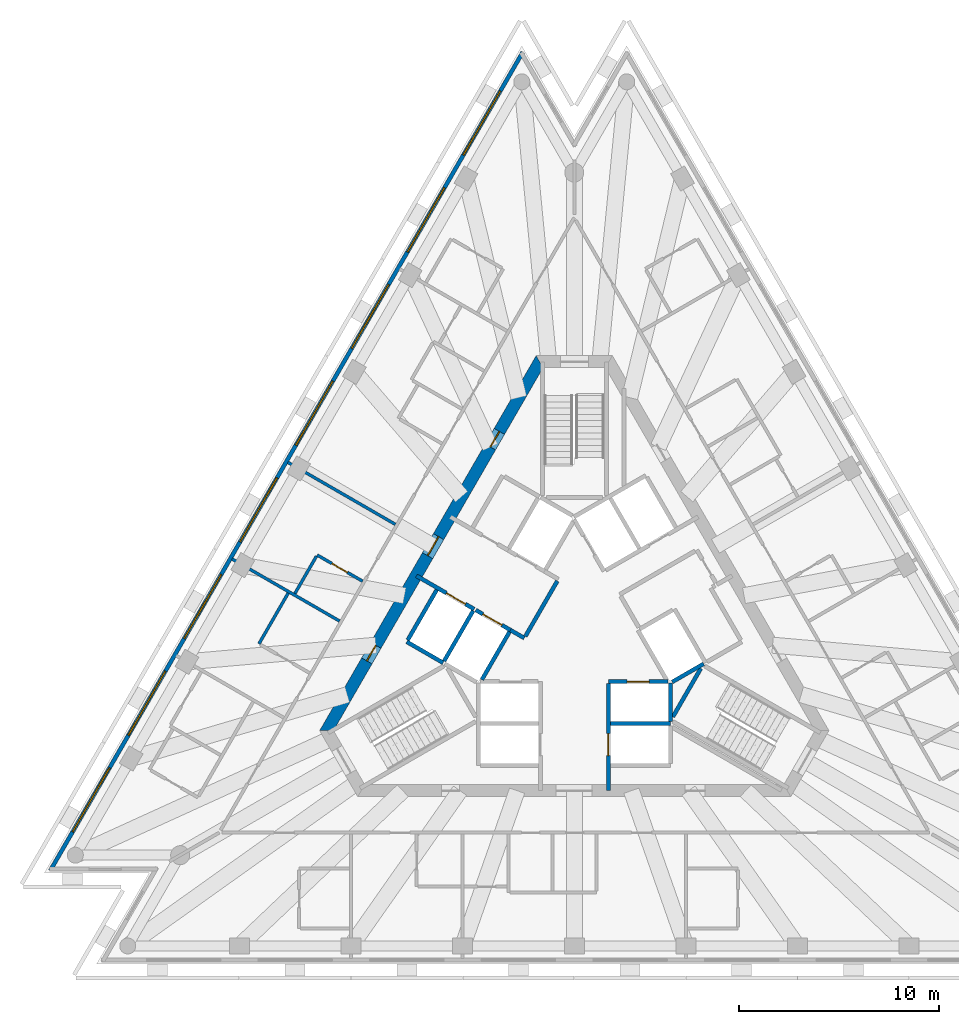
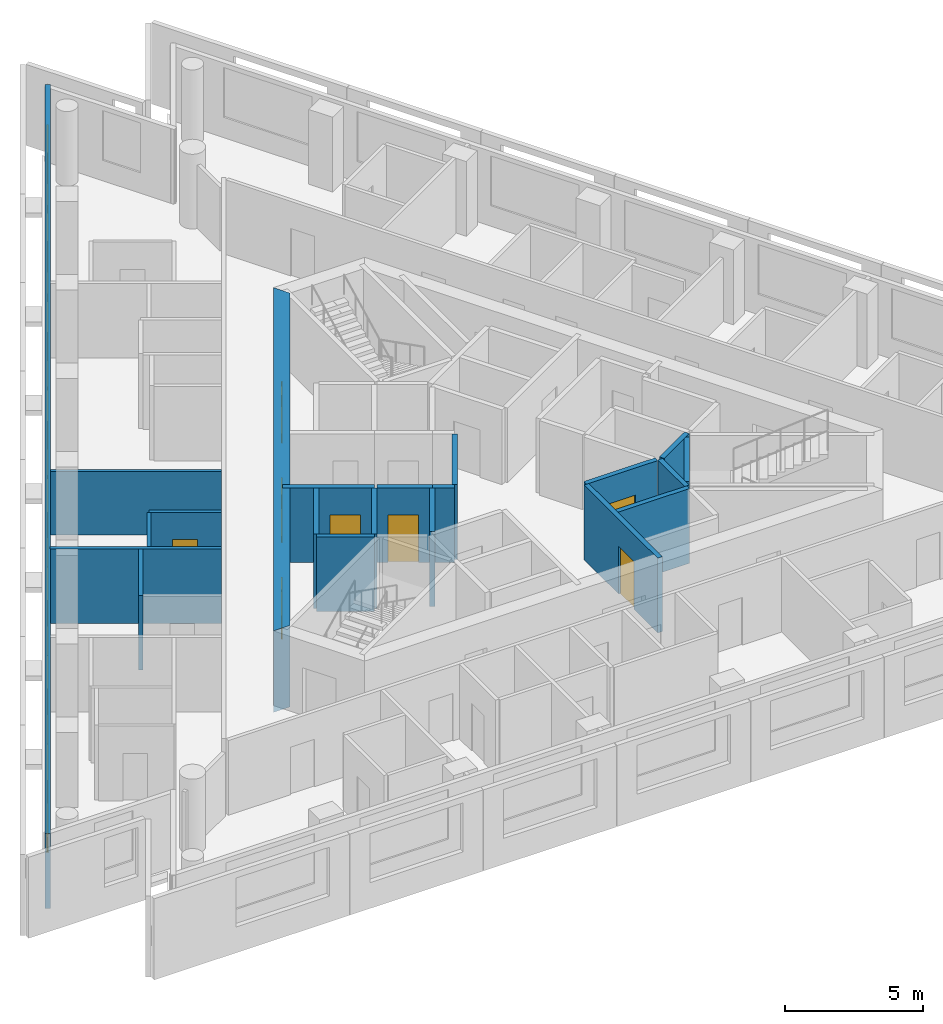
# One storey, part 4 of 10: 21 walls, 8 doors, 8 windows, 16 openings.
"""IFC4 building model written with IfcOpenShell, lengths in metres."""

from ifc_helpers import new_model, si_unit, direction, frame, frame_2d, origin, place, context, subcontext, project, spatial, polyline, rectangle, outline, extrude, material, layer, layer_set, layer_usage, type_object, element, fill, save


model = new_model("IFC4")

# Units and contexts
model_context = context("Model", 3, precision=1e-05, world=origin(), true_north=direction((0.0, 1.0)))
body_context = subcontext(model_context, "Body", "Model", "MODEL_VIEW")
ifc_project = project(units=[si_unit("LENGTHUNIT", "METRE"), si_unit("AREAUNIT", "SQUARE_METRE"), si_unit("VOLUMEUNIT", "CUBIC_METRE"), si_unit("PLANEANGLEUNIT", "RADIAN"), si_unit("MASSUNIT", "GRAM", prefix="KILO")], contexts=[model_context])

# Site, building, storey
site_placement = place(None, origin())
site = spatial("IfcSite", under=ifc_project, at=site_placement, CompositionType="ELEMENT")
building_placement = place(site_placement, origin())
building = spatial("IfcBuilding", under=site, at=building_placement, Name="Triada Interchange Tower", CompositionType="ELEMENT")
storey_placement = place(building_placement, frame((0.0, 0.0, 275.5)))
storey = spatial("IfcBuildingStorey", under=building, at=storey_placement, Name="L64", CompositionType="ELEMENT", Elevation=275.5)

# Walls
ifc_material_1 = material(Name="Concrete C30/37", Category="concrete")
ifc_layer_1 = layer(ifc_material_1, 0.199951171875)
ifc_layer_set_1 = layer_set([ifc_layer_1], Name="CORE WALL 200 EI 120")
wall_type_1 = type_object("IfcWallType", Name="CORE WALL 200 EI 120", PredefinedType="SOLIDWALL", material=ifc_layer_set_1)
wall_1_placement = place(storey_placement, frame((-8.3759765625, -0.70703125, 0.0), z_axis=(0.0, 0.0, 1.0), x_axis=(0.866067520717, -0.499927044236, 0.0)))
element("IfcWall", 1, at=wall_1_placement, inside=storey, type_object=wall_type_1, Name="Wall L62 66", PredefinedType="SOLIDWALL", context=body_context, shape_type="SweptSolid", body=[
    extrude(rectangle(XDim=2.100341796875, YDim=0.199951171875, at=frame_2d((1.05029296875, 0.0))), origin(), (0.0, 0.0, 1.0), 3.300048828125),
])
wall_2_placement = place(storey_placement, frame((-8.325927734375, -0.6201171875, 0.0), z_axis=(0.0, 0.0, 1.0), x_axis=(0.500023687443, 0.866011727401, 0.0)))
element("IfcWall", 2, at=wall_2_placement, inside=storey, type_object=wall_type_1, Name="Wall L62 67", PredefinedType="SOLIDWALL", context=body_context, shape_type="SweptSolid", body=[
    extrude(rectangle(XDim=2.899658203125, YDim=0.199951171875, at=frame_2d((1.44970703125, 0.0))), origin(), (0.0, 0.0, 1.0), 3.300048828125),
])
wall_3_placement = place(storey_placement, frame((1.800048828125, -4.800048828125, 0.0), z_axis=(0.0, 0.0, 1.0), x_axis=(1.0, 0.0, 0.0)))
element("IfcWall", 3, at=wall_3_placement, inside=storey, type_object=wall_type_1, Name="Wall L62 72", PredefinedType="SOLIDWALL", context=body_context, shape_type="SweptSolid", body=[
    extrude(rectangle(XDim=3.0, YDim=0.199951171875, at=frame_2d((1.5, 0.0))), origin(), (0.0, 0.0, 1.0), 3.300048828125),
])

# Wall, opening, door
wall_4_placement = place(storey_placement, frame((1.702880859375, -2.699951171875, 0.0), z_axis=(0.0, 0.0, 1.0), x_axis=(1.0, 0.0, 0.0)))
wall_4 = element("IfcWall", 4, at=wall_4_placement, inside=storey, type_object=wall_type_1, Name="Wall L62 75", PredefinedType="SOLIDWALL", context=body_context, shape_type="SweptSolid", body=[
    extrude(rectangle(XDim=2.97314453125, YDim=0.199951171875, at=frame_2d((1.486572265625, 0.0))), origin(), (0.0, 0.0, 1.0), 3.300048828125),
])
opening_1_placement = place(wall_4_placement, frame((0.93603515625, 0.0, 0.0)))
opening_1 = element("IfcOpeningElement", 5, at=opening_1_placement, cuts=wall_4, Name="Opening LD-HR1", PredefinedType="OPENING", context=body_context, shape_type="SweptSolid", body=[
    extrude(rectangle(XDim=1.10009765625, YDim=2.10009765625, at=frame_2d((0.550048828125, 1.050048828125))), frame((0.0, 0.10986328125, 0.0), z_axis=(0.0, -1.0, 0.0), x_axis=(1.0, 0.0, 0.0)), (0.0, 0.0, 1.0), 0.219970703125),
])
ifc_material_2 = material(Name="Steel S235 door leaf", Category="steel")
door_type_1 = type_object("IfcDoorType", Name="LIFT LANDING DOOR 1100 EI 120", OperationType="SLIDING_TO_LEFT", PredefinedType="DOOR", material=ifc_material_2)
door_1_placement = place(opening_1_placement, origin())
door_1 = element("IfcDoor", 6, at=door_1_placement, inside=storey, type_object=door_type_1, Name="HR1 landing door L64", OperationType="SLIDING_TO_LEFT", OverallHeight=2.10009765625, OverallWidth=1.10009765625, PredefinedType="DOOR", context=body_context, shape_type="SweptSolid", body=[
    extrude(rectangle(XDim=1.10009765625, YDim=2.10009765625, at=frame_2d((0.550048828125, 1.050048828125))), frame((0.0, 0.02490234375, 0.0), z_axis=(0.0, -1.0, 0.0), x_axis=(1.0, 0.0, 0.0)), (0.0, 0.0, 1.0), 0.050048828125),
])
fill(opening_1, door_1)

wall_5_placement = place(storey_placement, frame((1.699951171875, -8.1298828125, 0.0), z_axis=(0.0, 0.0, 1.0), x_axis=(0.0, 1.0, 0.0)))
wall_5 = element("IfcWall", 7, at=wall_5_placement, inside=storey, type_object=wall_type_1, Name="Wall L62 80", PredefinedType="SOLIDWALL", context=body_context, shape_type="SweptSolid", body=[
    extrude(rectangle(XDim=5.326904296875, YDim=0.199951171875, at=frame_2d((2.66357421875, 0.0))), origin(), (0.0, 0.0, 1.0), 3.300048828125),
])
opening_2_placement = place(wall_5_placement, frame((1.72998046875, 0.0, 0.0)))
opening_2 = element("IfcOpeningElement", 8, at=opening_2_placement, cuts=wall_5, Name="Opening LD-HR2", PredefinedType="OPENING", context=body_context, shape_type="SweptSolid", body=[
    extrude(rectangle(XDim=1.10009765625, YDim=2.10009765625, at=frame_2d((0.550048828125, 1.050048828125))), frame((0.0, 0.10986328125, 0.0), z_axis=(0.0, -1.0, 0.0), x_axis=(1.0, 0.0, 0.0)), (0.0, 0.0, 1.0), 0.219970703125),
])
door_2_placement = place(opening_2_placement, origin())
door_2 = element("IfcDoor", 9, at=door_2_placement, inside=storey, type_object=door_type_1, Name="HR2 landing door L64", OperationType="SLIDING_TO_LEFT", OverallHeight=2.10009765625, OverallWidth=1.10009765625, PredefinedType="DOOR", context=body_context, shape_type="SweptSolid", body=[
    extrude(rectangle(XDim=1.10009765625, YDim=2.10009765625, at=frame_2d((0.550048828125, 1.050048828125))), frame((0.0, 0.02490234375, 0.0), z_axis=(0.0, -1.0, 0.0), x_axis=(1.0, 0.0, 0.0)), (0.0, 0.0, 1.0), 0.050048828125),
])
fill(opening_2, door_2)

# Walls
wall_6_placement = place(storey_placement, frame((4.800048828125, -4.699951171875, 0.0), z_axis=(0.0, 0.0, 1.0), x_axis=(0.0, 1.0, 0.0)))
element("IfcWall", 10, at=wall_6_placement, inside=storey, type_object=wall_type_1, Name="Wall L62 82", PredefinedType="SOLIDWALL", context=body_context, shape_type="SweptSolid", body=[
    extrude(rectangle(XDim=1.928955078125, YDim=0.199951171875, at=frame_2d((0.96435546875, 0.0))), origin(), (0.0, 0.0, 1.0), 3.300048828125),
])
wall_7_placement = place(storey_placement, frame((4.89990234375, -2.714111328125, 0.0), z_axis=(0.0, 0.0, 1.0), x_axis=(0.865846928409, 0.500309001083, 0.0)))
element("IfcWall", 11, at=wall_7_placement, inside=storey, type_object=wall_type_1, Name="Wall L62 91", PredefinedType="SOLIDWALL", context=body_context, shape_type="SweptSolid", body=[
    extrude(rectangle(XDim=1.813232421875, YDim=0.199951171875, at=frame_2d((0.90673828125, 0.0))), origin(), (0.0, 0.0, 1.0), 3.300048828125),
])

# Wall, opening, door
ifc_layer_2 = layer(ifc_material_1, 0.199951171875)
ifc_layer_set_2 = layer_set([ifc_layer_2], Name="CORE WALL 200 EI 180")
wall_type_2 = type_object("IfcWallType", Name="CORE WALL 200 EI 180", PredefinedType="SOLIDWALL", material=ifc_layer_set_2)
wall_8_placement = place(storey_placement, frame((-7.89111328125, 2.593017578125, 0.0), z_axis=(0.0, 0.0, 1.0), x_axis=(0.866070917804, -0.499921159118, 0.0)))
wall_8 = element("IfcWall", 12, at=wall_8_placement, inside=storey, type_object=wall_type_2, Name="Wall L62 92", PredefinedType="SOLIDWALL", context=body_context, shape_type="SweptSolid", body=[
    extrude(rectangle(XDim=3.33251953125, YDim=0.199951171875, at=frame_2d((1.666259765625, 0.0))), origin(), (0.0, 0.0, 1.0), 3.300048828125),
])
opening_3_placement = place(wall_8_placement, frame((1.72998046875, 0.0, 0.0)))
opening_3 = element("IfcOpeningElement", 13, at=opening_3_placement, cuts=wall_8, Name="Opening LD-SV1", PredefinedType="OPENING", context=body_context, shape_type="SweptSolid", body=[
    extrude(rectangle(XDim=1.10009765625, YDim=2.10009765625, at=frame_2d((0.550048828125, 1.050048828125))), frame((0.0, 0.10986328125, 0.0), z_axis=(0.0, -1.0, 0.0), x_axis=(1.0, 0.0, 0.0)), (0.0, 0.0, 1.0), 0.219970703125),
])
door_3_placement = place(opening_3_placement, origin())
door_3 = element("IfcDoor", 14, at=door_3_placement, inside=storey, type_object=door_type_1, Name="SV1 landing door L64", OperationType="SLIDING_TO_LEFT", OverallHeight=2.10009765625, OverallWidth=1.10009765625, PredefinedType="DOOR", context=body_context, shape_type="SweptSolid", body=[
    extrude(rectangle(XDim=1.10009765625, YDim=2.10009765625, at=frame_2d((0.550048828125, 1.050048828125))), frame((0.0, 0.02490234375, 0.0), z_axis=(0.0, -1.0, 0.0), x_axis=(1.0, 0.0, 0.0)), (0.0, 0.0, 1.0), 0.050048828125),
])
fill(opening_3, door_3)

# Walls
wall_9_placement = place(storey_placement, frame((-3.18798828125, -0.1220703125, 0.0), z_axis=(0.0, 0.0, 1.0), x_axis=(0.865705793592, -0.50055317294, 0.0)))
element("IfcWall", 15, at=wall_9_placement, inside=storey, type_object=wall_type_2, Name="Wall L62 93", PredefinedType="SOLIDWALL", context=body_context, shape_type="SweptSolid", body=[
    extrude(rectangle(XDim=0.796875, YDim=0.199951171875, at=frame_2d((0.3984375, 0.0))), origin(), (0.0, 0.0, 1.0), 3.300048828125),
])
wall_10_placement = place(storey_placement, frame((-2.444091796875, -0.43310546875, 0.0), z_axis=(0.0, 0.0, 1.0), x_axis=(0.500035624827, 0.866004834804, 0.0)))
element("IfcWall", 16, at=wall_10_placement, inside=storey, type_object=wall_type_2, Name="Wall L62 98", PredefinedType="SOLIDWALL", context=body_context, shape_type="SweptSolid", body=[
    extrude(rectangle(XDim=3.194091796875, YDim=0.199951171875, at=frame_2d((1.59716796875, 0.0))), origin(), (0.0, 0.0, 1.0), 3.300048828125),
])
wall_11_placement = place(storey_placement, frame((-6.507080078125, -1.669921875, 0.0), z_axis=(0.0, 0.0, 1.0), x_axis=(0.50012328804, 0.865954211699, 0.0)))
element("IfcWall", 17, at=wall_11_placement, inside=storey, type_object=wall_type_2, Name="Shaft wall FF1 L62 99", PredefinedType="SOLIDWALL", context=body_context, shape_type="SweptSolid", body=[
    extrude(rectangle(XDim=2.899658203125, YDim=0.199951171875, at=frame_2d((1.44970703125, 0.0))), origin(), (0.0, 0.0, 1.0), 3.300048828125),
])

# Wall, opening, door
wall_12_placement = place(storey_placement, frame((-4.922119140625, 0.87890625, 0.0), z_axis=(0.0, 0.0, 1.0), x_axis=(0.866073918653, -0.499915960366, 0.0)))
wall_12 = element("IfcWall", 18, at=wall_12_placement, inside=storey, type_object=wall_type_2, Name="Shaft wall FF1 L62 101", PredefinedType="SOLIDWALL", context=body_context, shape_type="SweptSolid", body=[
    extrude(rectangle(XDim=2.002197265625, YDim=0.199951171875, at=frame_2d((1.0009765625, 0.0))), origin(), (0.0, 0.0, 1.0), 3.300048828125),
])
opening_4_placement = place(wall_12_placement, frame((0.402099609375, 0.0, 0.0)))
opening_4 = element("IfcOpeningElement", 19, at=opening_4_placement, cuts=wall_12, Name="Opening LD-FF1", PredefinedType="OPENING", context=body_context, shape_type="SweptSolid", body=[
    extrude(rectangle(XDim=1.10009765625, YDim=2.10009765625, at=frame_2d((0.550048828125, 1.050048828125))), frame((0.0, 0.10986328125, 0.0), z_axis=(0.0, -1.0, 0.0), x_axis=(1.0, 0.0, 0.0)), (0.0, 0.0, 1.0), 0.219970703125),
])
door_4_placement = place(opening_4_placement, origin())
door_4 = element("IfcDoor", 20, at=door_4_placement, inside=storey, type_object=door_type_1, Name="FF1 landing door L64", OperationType="SLIDING_TO_LEFT", OverallHeight=2.10009765625, OverallWidth=1.10009765625, PredefinedType="DOOR", context=body_context, shape_type="SweptSolid", body=[
    extrude(rectangle(XDim=1.10009765625, YDim=2.10009765625, at=frame_2d((0.550048828125, 1.050048828125))), frame((0.0, 0.02490234375, 0.0), z_axis=(0.0, -1.0, 0.0), x_axis=(1.0, 0.0, 0.0)), (0.0, 0.0, 1.0), 0.050048828125),
])
fill(opening_4, door_4)

# Walls
wall_13_placement = place(storey_placement, frame((-4.618896484375, -2.60009765625, 0.0), z_axis=(0.0, 0.0, 1.0), x_axis=(0.50009492287, 0.865970593103, 0.0)))
element("IfcWall", 21, at=wall_13_placement, inside=storey, type_object=wall_type_2, Name="Shaft wall FF1 L62 102", PredefinedType="SOLIDWALL", context=body_context, shape_type="SweptSolid", body=[
    extrude(rectangle(XDim=2.76123046875, YDim=0.199951171875, at=frame_2d((1.380615234375, 0.0))), origin(), (0.0, 0.0, 1.0), 3.300048828125),
])
ifc_layer_3 = layer(ifc_material_1, 0.199951171875)
ifc_layer_set_3 = layer_set([ifc_layer_3], Name="CORE WALL 200 REI 240")
wall_type_3 = type_object("IfcWallType", Name="CORE WALL 200 REI 240", PredefinedType="SOLIDWALL", material=ifc_layer_set_3)
wall_14_placement = place(storey_placement, frame((4.928955078125, -4.4619140625, 0.0), z_axis=(0.0, 0.0, 1.0), x_axis=(0.500200581029, 0.865909567298, 0.0)))
element("IfcWall", 22, at=wall_14_placement, inside=storey, type_object=wall_type_3, Name="Wall L62 119", PredefinedType="SOLIDWALL", context=body_context, shape_type="SweptSolid", body=[
    extrude(rectangle(XDim=2.799072265625, YDim=0.199951171875, at=frame_2d((1.3994140625, 0.0))), origin(), (0.0, 0.0, 1.0), 3.300048828125),
])

# Wall, openings, doors
ifc_material_3 = material(Name="Concrete C40/50", Category="concrete")
ifc_layer_4 = layer(ifc_material_3, 0.60009765625)
ifc_layer_set_4 = layer_set([ifc_layer_4], Name="Core wall D 600")
wall_type_4 = type_object("IfcWallType", Name="Core wall D 600", PredefinedType="SHEAR", material=ifc_layer_set_4)
wall_15_placement = place(storey_placement, frame((-1.73193359375, 13.300048828125, -0.300048828125), z_axis=(0.0, 0.0, 1.0), x_axis=(-0.500000539815, -0.866025092122, 0.0)))
wall_15 = element("IfcWall", 23, at=wall_15_placement, inside=storey, type_object=wall_type_4, Name="Core wall WD02 L64", PredefinedType="SHEAR", context=body_context, shape_type="SweptSolid", body=[
    extrude(outline(polyline([(-0.173095703125, -0.300048828125), (1.795166015625, -0.300048828125), (3.763427734375, -0.30029296875), (5.731689453125, -0.30029296875), (7.699951171875, -0.30029296875), (9.668212890625, -0.300537109375), (11.63671875, -0.300537109375), (13.60498046875, -0.30078125), (15.5732421875, -0.30078125), (17.54150390625, -0.30078125), (19.509765625, -0.301025390625), (21.47802734375, -0.301025390625), (21.131103515625, 0.300048828125), (19.225830078125, 0.300048828125), (17.320556640625, 0.300048828125), (15.415283203125, 0.300048828125), (13.510009765625, 0.300048828125), (11.604736328125, 0.300048828125), (9.699462890625, 0.300048828125), (7.794189453125, 0.300048828125), (5.888916015625, 0.300048828125), (3.983642578125, 0.300048828125), (2.078369140625, 0.300048828125), (0.173095703125, 0.300048828125), (-0.173095703125, -0.300048828125)])), origin(), (0.0, 0.0, 1.0), 3.60009765625),
])
opening_5_placement = place(wall_15_placement, frame((10.10205078125, 0.0, 0.300048828125)))
opening_5 = element("IfcOpeningElement", 24, at=opening_5_placement, cuts=wall_15, Name="Opening D62-51", PredefinedType="OPENING", context=body_context, shape_type="SweptSolid", body=[
    extrude(rectangle(XDim=1.10009765625, YDim=2.10009765625, at=frame_2d((0.550048828125, 1.050048828125))), frame((0.0, 0.31005859375, 0.0), z_axis=(0.0, -1.0, 0.0), x_axis=(1.0, 0.0, 0.0)), (0.0, 0.0, 1.0), 0.62109375),
])
opening_6_placement = place(wall_15_placement, frame((16.3779296875, 0.0, 0.300048828125)))
opening_6 = element("IfcOpeningElement", 25, at=opening_6_placement, cuts=wall_15, Name="Opening D62-52", PredefinedType="OPENING", context=body_context, shape_type="SweptSolid", body=[
    extrude(rectangle(XDim=0.89990234375, YDim=2.10009765625, at=frame_2d((0.449951171875, 1.050048828125))), frame((0.0, 0.31005859375, 0.0), z_axis=(0.0, -1.0, 0.0), x_axis=(1.0, 0.0, 0.0)), (0.0, 0.0, 1.0), 0.62109375),
])
opening_7_placement = place(wall_15_placement, frame((4.02587890625, 0.0, 0.300048828125)))
opening_7 = element("IfcOpeningElement", 26, at=opening_7_placement, cuts=wall_15, Name="Opening D62-54", PredefinedType="OPENING", context=body_context, shape_type="SweptSolid", body=[
    extrude(rectangle(XDim=0.89990234375, YDim=2.10009765625, at=frame_2d((0.449951171875, 1.050048828125))), frame((0.0, 0.31005859375, 0.0), z_axis=(0.0, -1.0, 0.0), x_axis=(1.0, 0.0, 0.0)), (0.0, 0.0, 1.0), 0.62109375),
])
door_type_2 = type_object("IfcDoorType", Name="FIRE LOBBY DOOR 1100 EI2 90-C5S200", OperationType="NOTDEFINED", PredefinedType="DOOR", material=ifc_material_2)
door_5_placement = place(opening_5_placement, origin())
door_5 = element("IfcDoor", 27, at=door_5_placement, inside=storey, type_object=door_type_2, Name="Door D62-51 L64", OperationType="SINGLE_SWING_RIGHT", OverallHeight=2.10009765625, OverallWidth=1.10009765625, PredefinedType="DOOR", context=body_context, shape_type="SweptSolid", body=[
    extrude(rectangle(XDim=1.10009765625, YDim=2.10009765625, at=frame_2d((0.550048828125, 1.050048828125))), frame((0.0, 0.02490234375, 0.0), z_axis=(0.0, -1.0, 0.0), x_axis=(1.0, 0.0, 0.0)), (0.0, 0.0, 1.0), 0.050048828125),
])
fill(opening_5, door_5)
door_type_3 = type_object("IfcDoorType", Name="SERVICE DOOR 900 EI2 45-C5S200", OperationType="NOTDEFINED", PredefinedType="DOOR", material=ifc_material_2)
door_6_placement = place(opening_6_placement, origin())
door_6 = element("IfcDoor", 28, at=door_6_placement, inside=storey, type_object=door_type_3, Name="Door D62-52 L64", OperationType="SINGLE_SWING_RIGHT", OverallHeight=2.10009765625, OverallWidth=0.89990234375, PredefinedType="DOOR", context=body_context, shape_type="SweptSolid", body=[
    extrude(rectangle(XDim=0.89990234375, YDim=2.10009765625, at=frame_2d((0.449951171875, 1.050048828125))), frame((0.0, 0.02490234375, 0.0), z_axis=(0.0, -1.0, 0.0), x_axis=(1.0, 0.0, 0.0)), (0.0, 0.0, 1.0), 0.050048828125),
])
fill(opening_6, door_6)
door_7_placement = place(opening_7_placement, origin())
door_7 = element("IfcDoor", 29, at=door_7_placement, inside=storey, type_object=door_type_3, Name="Door D62-54 L64", OperationType="SINGLE_SWING_LEFT", OverallHeight=2.10009765625, OverallWidth=0.89990234375, PredefinedType="DOOR", context=body_context, shape_type="SweptSolid", body=[
    extrude(rectangle(XDim=0.89990234375, YDim=2.10009765625, at=frame_2d((0.449951171875, 1.050048828125))), frame((0.0, 0.02490234375, 0.0), z_axis=(0.0, -1.0, 0.0), x_axis=(1.0, 0.0, 0.0)), (0.0, 0.0, 1.0), 0.050048828125),
])
fill(opening_7, door_7)

# Wall, openings, windows
ifc_material_4 = material(Name="Cement board")
ifc_layer_5 = layer(ifc_material_4, 0.02001953125, Name="Cement board cladding")
ifc_material_5 = material(Name="Sheathing board")
ifc_layer_6 = layer(ifc_material_5, 0.014892578125, Name="Sheathing board")
ifc_material_6 = material(Name="Mineral wool")
ifc_layer_7 = layer(ifc_material_6, 0.14990234375, Name="Mineral wool between steel studs")
ifc_material_7 = material(Name="Gypsum board")
ifc_layer_8 = layer(ifc_material_7, 0.014892578125, Name="Plasterboard lining")
ifc_layer_set_5 = layer_set([ifc_layer_5, ifc_layer_6, ifc_layer_7, ifc_layer_8], Name="External wall 200")
ifc_layer_usage = layer_usage(ifc_layer_set_5, "AXIS2", "POSITIVE", -0.10009765625)
wall_type_5 = type_object("IfcWallType", Name="External wall 200", PredefinedType="ELEMENTEDWALL", material=ifc_layer_set_5)
wall_16_placement = place(storey_placement, frame((-2.576904296875, 28.77099609375, 0.0), z_axis=(0.0, 0.0, 1.0), x_axis=(-0.49999909388, -0.866025926932, 0.0)))
wall_16 = element("IfcWall", 30, at=wall_16_placement, inside=storey, type_object=wall_type_5, material=ifc_layer_usage, Name="External wall L64 NW", PredefinedType="ELEMENTEDWALL", context=body_context, shape_type="SweptSolid", body=[
    extrude(rectangle(XDim=47.236328125, YDim=0.199951171875, at=frame_2d((23.6181640625, 0.0))), origin(), (0.0, 0.0, 1.0), 3.300048828125),
])
opening_8_placement = place(wall_16_placement, frame((2.242919921875, 0.0, 0.89990234375)))
opening_8 = element("IfcOpeningElement", 31, at=opening_8_placement, cuts=wall_16, Name="Opening WD01", PredefinedType="OPENING", context=body_context, shape_type="SweptSolid", body=[
    extrude(rectangle(XDim=3.699951171875, YDim=2.199951171875, at=frame_2d((1.85009765625, 1.10009765625))), frame((0.0, 0.10986328125, 0.0), z_axis=(0.0, -1.0, 0.0), x_axis=(1.0, 0.0, 0.0)), (0.0, 0.0, 1.0), 0.219970703125),
])
opening_9_placement = place(wall_16_placement, frame((7.823974609375, 0.0, 0.89990234375)))
opening_9 = element("IfcOpeningElement", 32, at=opening_9_placement, cuts=wall_16, Name="Opening WD02", PredefinedType="OPENING", context=body_context, shape_type="SweptSolid", body=[
    extrude(rectangle(XDim=3.699951171875, YDim=2.199951171875, at=frame_2d((1.85009765625, 1.10009765625))), frame((0.0, 0.10986328125, 0.0), z_axis=(0.0, -1.0, 0.0), x_axis=(1.0, 0.0, 0.0)), (0.0, 0.0, 1.0), 0.219970703125),
])
opening_10_placement = place(wall_16_placement, frame((13.406005859375, 0.0, 0.89990234375)))
opening_10 = element("IfcOpeningElement", 33, at=opening_10_placement, cuts=wall_16, Name="Opening WD03", PredefinedType="OPENING", context=body_context, shape_type="SweptSolid", body=[
    extrude(rectangle(XDim=3.699951171875, YDim=2.199951171875, at=frame_2d((1.85009765625, 1.10009765625))), frame((0.0, 0.10986328125, 0.0), z_axis=(0.0, -1.0, 0.0), x_axis=(1.0, 0.0, 0.0)), (0.0, 0.0, 1.0), 0.219970703125),
])
opening_11_placement = place(wall_16_placement, frame((18.987060546875, 0.0, 0.89990234375)))
opening_11 = element("IfcOpeningElement", 34, at=opening_11_placement, cuts=wall_16, Name="Opening WD04", PredefinedType="OPENING", context=body_context, shape_type="SweptSolid", body=[
    extrude(rectangle(XDim=3.699951171875, YDim=2.199951171875, at=frame_2d((1.85009765625, 1.10009765625))), frame((0.0, 0.10986328125, 0.0), z_axis=(0.0, -1.0, 0.0), x_axis=(1.0, 0.0, 0.0)), (0.0, 0.0, 1.0), 0.219970703125),
])
opening_12_placement = place(wall_16_placement, frame((24.569091796875, 0.0, 0.89990234375)))
opening_12 = element("IfcOpeningElement", 35, at=opening_12_placement, cuts=wall_16, Name="Opening WD05", PredefinedType="OPENING", context=body_context, shape_type="SweptSolid", body=[
    extrude(rectangle(XDim=3.699951171875, YDim=2.199951171875, at=frame_2d((1.85009765625, 1.10009765625))), frame((0.0, 0.10986328125, 0.0), z_axis=(0.0, -1.0, 0.0), x_axis=(1.0, 0.0, 0.0)), (0.0, 0.0, 1.0), 0.219970703125),
])
opening_13_placement = place(wall_16_placement, frame((30.14990234375, 0.0, 0.89990234375)))
opening_13 = element("IfcOpeningElement", 36, at=opening_13_placement, cuts=wall_16, Name="Opening WD06", PredefinedType="OPENING", context=body_context, shape_type="SweptSolid", body=[
    extrude(rectangle(XDim=3.699951171875, YDim=2.199951171875, at=frame_2d((1.85009765625, 1.10009765625))), frame((0.0, 0.10986328125, 0.0), z_axis=(0.0, -1.0, 0.0), x_axis=(1.0, 0.0, 0.0)), (0.0, 0.0, 1.0), 0.219970703125),
])
opening_14_placement = place(wall_16_placement, frame((35.73095703125, 0.0, 0.89990234375)))
opening_14 = element("IfcOpeningElement", 37, at=opening_14_placement, cuts=wall_16, Name="Opening WD07", PredefinedType="OPENING", context=body_context, shape_type="SweptSolid", body=[
    extrude(rectangle(XDim=3.699951171875, YDim=2.199951171875, at=frame_2d((1.85009765625, 1.10009765625))), frame((0.0, 0.10986328125, 0.0), z_axis=(0.0, -1.0, 0.0), x_axis=(1.0, 0.0, 0.0)), (0.0, 0.0, 1.0), 0.219970703125),
])
opening_15_placement = place(wall_16_placement, frame((41.31298828125, 0.0, 0.89990234375)))
opening_15 = element("IfcOpeningElement", 38, at=opening_15_placement, cuts=wall_16, Name="Opening WD08", PredefinedType="OPENING", context=body_context, shape_type="SweptSolid", body=[
    extrude(rectangle(XDim=3.699951171875, YDim=2.199951171875, at=frame_2d((1.85009765625, 1.10009765625))), frame((0.0, 0.10986328125, 0.0), z_axis=(0.0, -1.0, 0.0), x_axis=(1.0, 0.0, 0.0)), (0.0, 0.0, 1.0), 0.219970703125),
])
ifc_material_8 = material(Name="Double glazed aluminium window", Category="aluminium")
window_type = type_object("IfcWindowType", Name="Ribbon window D face", PartitioningType="SINGLE_PANEL", PredefinedType="WINDOW", material=ifc_material_8)
window_1_placement = place(opening_8_placement, origin())
window_1 = element("IfcWindow", 39, at=window_1_placement, inside=storey, type_object=window_type, Name="Window L64 NW 1", OverallHeight=2.199951171875, OverallWidth=3.699951171875, PartitioningType="SINGLE_PANEL", PredefinedType="WINDOW", context=body_context, shape_type="SweptSolid", body=[
    extrude(rectangle(XDim=3.699951171875, YDim=2.199951171875, at=frame_2d((1.85009765625, 1.10009765625))), frame((0.0, 0.030029296875, 0.0), z_axis=(0.0, -1.0, 0.0), x_axis=(1.0, 0.0, 0.0)), (0.0, 0.0, 1.0), 0.06005859375),
])
fill(opening_8, window_1)
window_2_placement = place(opening_9_placement, origin())
window_2 = element("IfcWindow", 40, at=window_2_placement, inside=storey, type_object=window_type, Name="Window L64 NW 2", OverallHeight=2.199951171875, OverallWidth=3.699951171875, PartitioningType="SINGLE_PANEL", PredefinedType="WINDOW", context=body_context, shape_type="SweptSolid", body=[
    extrude(rectangle(XDim=3.699951171875, YDim=2.199951171875, at=frame_2d((1.85009765625, 1.10009765625))), frame((0.0, 0.030029296875, 0.0), z_axis=(0.0, -1.0, 0.0), x_axis=(1.0, 0.0, 0.0)), (0.0, 0.0, 1.0), 0.06005859375),
])
fill(opening_9, window_2)
window_3_placement = place(opening_10_placement, origin())
window_3 = element("IfcWindow", 41, at=window_3_placement, inside=storey, type_object=window_type, Name="Window L64 NW 3", OverallHeight=2.199951171875, OverallWidth=3.699951171875, PartitioningType="SINGLE_PANEL", PredefinedType="WINDOW", context=body_context, shape_type="SweptSolid", body=[
    extrude(rectangle(XDim=3.699951171875, YDim=2.199951171875, at=frame_2d((1.85009765625, 1.10009765625))), frame((0.0, 0.030029296875, 0.0), z_axis=(0.0, -1.0, 0.0), x_axis=(1.0, 0.0, 0.0)), (0.0, 0.0, 1.0), 0.06005859375),
])
fill(opening_10, window_3)
window_4_placement = place(opening_11_placement, origin())
window_4 = element("IfcWindow", 42, at=window_4_placement, inside=storey, type_object=window_type, Name="Window L64 NW 4", OverallHeight=2.199951171875, OverallWidth=3.699951171875, PartitioningType="SINGLE_PANEL", PredefinedType="WINDOW", context=body_context, shape_type="SweptSolid", body=[
    extrude(rectangle(XDim=3.699951171875, YDim=2.199951171875, at=frame_2d((1.85009765625, 1.10009765625))), frame((0.0, 0.030029296875, 0.0), z_axis=(0.0, -1.0, 0.0), x_axis=(1.0, 0.0, 0.0)), (0.0, 0.0, 1.0), 0.06005859375),
])
fill(opening_11, window_4)
window_5_placement = place(opening_12_placement, origin())
window_5 = element("IfcWindow", 43, at=window_5_placement, inside=storey, type_object=window_type, Name="Window L64 NW 5", OverallHeight=2.199951171875, OverallWidth=3.699951171875, PartitioningType="SINGLE_PANEL", PredefinedType="WINDOW", context=body_context, shape_type="SweptSolid", body=[
    extrude(rectangle(XDim=3.699951171875, YDim=2.199951171875, at=frame_2d((1.85009765625, 1.10009765625))), frame((0.0, 0.030029296875, 0.0), z_axis=(0.0, -1.0, 0.0), x_axis=(1.0, 0.0, 0.0)), (0.0, 0.0, 1.0), 0.06005859375),
])
fill(opening_12, window_5)
window_6_placement = place(opening_13_placement, origin())
window_6 = element("IfcWindow", 44, at=window_6_placement, inside=storey, type_object=window_type, Name="Window L64 NW 6", OverallHeight=2.199951171875, OverallWidth=3.699951171875, PartitioningType="SINGLE_PANEL", PredefinedType="WINDOW", context=body_context, shape_type="SweptSolid", body=[
    extrude(rectangle(XDim=3.699951171875, YDim=2.199951171875, at=frame_2d((1.85009765625, 1.10009765625))), frame((0.0, 0.030029296875, 0.0), z_axis=(0.0, -1.0, 0.0), x_axis=(1.0, 0.0, 0.0)), (0.0, 0.0, 1.0), 0.06005859375),
])
fill(opening_13, window_6)
window_7_placement = place(opening_14_placement, origin())
window_7 = element("IfcWindow", 45, at=window_7_placement, inside=storey, type_object=window_type, Name="Window L64 NW 7", OverallHeight=2.199951171875, OverallWidth=3.699951171875, PartitioningType="SINGLE_PANEL", PredefinedType="WINDOW", context=body_context, shape_type="SweptSolid", body=[
    extrude(rectangle(XDim=3.699951171875, YDim=2.199951171875, at=frame_2d((1.85009765625, 1.10009765625))), frame((0.0, 0.030029296875, 0.0), z_axis=(0.0, -1.0, 0.0), x_axis=(1.0, 0.0, 0.0)), (0.0, 0.0, 1.0), 0.06005859375),
])
fill(opening_14, window_7)
window_8_placement = place(opening_15_placement, origin())
window_8 = element("IfcWindow", 46, at=window_8_placement, inside=storey, type_object=window_type, Name="Window L64 NW 8", OverallHeight=2.199951171875, OverallWidth=3.699951171875, PartitioningType="SINGLE_PANEL", PredefinedType="WINDOW", context=body_context, shape_type="SweptSolid", body=[
    extrude(rectangle(XDim=3.699951171875, YDim=2.199951171875, at=frame_2d((1.85009765625, 1.10009765625))), frame((0.0, 0.030029296875, 0.0), z_axis=(0.0, -1.0, 0.0), x_axis=(1.0, 0.0, 0.0)), (0.0, 0.0, 1.0), 0.06005859375),
])
fill(opening_15, window_8)

# Walls
ifc_material_9 = material(Name="Gypsum board partition")
ifc_layer_9 = layer(ifc_material_9, 0.14990234375)
ifc_layer_set_6 = layer_set([ifc_layer_9], Name="PARTITION 150 EI 180")
wall_type_6 = type_object("IfcWallType", Name="PARTITION 150 EI 180", PredefinedType="PARTITIONING", material=ifc_layer_set_6)
wall_17_placement = place(storey_placement, frame((-17.112060546875, 3.43505859375, 0.0), z_axis=(0.0, 0.0, 1.0), x_axis=(0.866043575568, -0.499968524226, 0.0)))
element("IfcWall", 47, at=wall_17_placement, inside=storey, type_object=wall_type_6, Name="Wall L62 6", PredefinedType="PARTITIONING", context=body_context, shape_type="SweptSolid", body=[
    extrude(rectangle(XDim=6.21240234375, YDim=0.14990234375, at=frame_2d((3.106201171875, 0.0))), origin(), (0.0, 0.0, 1.0), 3.300048828125),
])
wall_18_placement = place(storey_placement, frame((-14.321044921875, 8.26904296875, 0.0), z_axis=(0.0, 0.0, 1.0), x_axis=(0.866043575568, -0.499968524226, 0.0)))
element("IfcWall", 48, at=wall_18_placement, inside=storey, type_object=wall_type_6, Name="Wall L62 7", PredefinedType="PARTITIONING", context=body_context, shape_type="SweptSolid", body=[
    extrude(rectangle(XDim=6.21240234375, YDim=0.14990234375, at=frame_2d((3.106201171875, 0.0))), origin(), (0.0, 0.0, 1.0), 2.800048828125),
])

# Wall, opening, door
ifc_layer_10 = layer(ifc_material_9, 0.14990234375)
ifc_layer_set_7 = layer_set([ifc_layer_10], Name="PARTITION 150 EI 90")
wall_type_7 = type_object("IfcWallType", Name="PARTITION 150 EI 90", PredefinedType="PARTITIONING", material=ifc_layer_set_7)
wall_19_placement = place(storey_placement, frame((-12.85595703125, 3.633056640625, 0.0), z_axis=(0.0, 0.0, 1.0), x_axis=(0.866163910271, -0.499760022954, 0.0)))
wall_19 = element("IfcWall", 49, at=wall_19_placement, inside=storey, type_object=wall_type_7, Name="Wall L62 38", PredefinedType="PARTITIONING", context=body_context, shape_type="SweptSolid", body=[
    extrude(rectangle(XDim=2.625244140625, YDim=0.14990234375, at=frame_2d((1.3125, 0.0))), origin(), (0.0, 0.0, 1.0), 3.300048828125),
])
opening_16_placement = place(wall_19_placement, frame((0.85009765625, 0.0, 0.0)))
opening_16 = element("IfcOpeningElement", 50, at=opening_16_placement, cuts=wall_19, Name="Opening D62-41", PredefinedType="OPENING", context=body_context, shape_type="SweptSolid", body=[
    extrude(rectangle(XDim=0.89990234375, YDim=2.10009765625, at=frame_2d((0.449951171875, 1.050048828125))), frame((0.0, 0.0849609375, 0.0), z_axis=(0.0, -1.0, 0.0), x_axis=(1.0, 0.0, 0.0)), (0.0, 0.0, 1.0), 0.169921875),
])
door_type_4 = type_object("IfcDoorType", Name="ROOM DOOR 900 EI2 45-C5S200", OperationType="NOTDEFINED", PredefinedType="DOOR", material=ifc_material_2)
door_8_placement = place(opening_16_placement, origin())
door_8 = element("IfcDoor", 51, at=door_8_placement, inside=storey, type_object=door_type_4, Name="Door D62-41 L64", OperationType="SINGLE_SWING_LEFT", OverallHeight=2.10009765625, OverallWidth=0.89990234375, PredefinedType="DOOR", context=body_context, shape_type="SweptSolid", body=[
    extrude(rectangle(XDim=0.89990234375, YDim=2.10009765625, at=frame_2d((0.449951171875, 1.050048828125))), frame((0.0, 0.02490234375, 0.0), z_axis=(0.0, -1.0, 0.0), x_axis=(1.0, 0.0, 0.0)), (0.0, 0.0, 1.0), 0.050048828125),
])
fill(opening_16, door_8)

# Walls
wall_20_placement = place(storey_placement, frame((-13.968017578125, 1.70703125, 0.0), z_axis=(0.0, 0.0, 1.0), x_axis=(0.500158362642, 0.865933953763, 0.0)))
element("IfcWall", 52, at=wall_20_placement, inside=storey, type_object=wall_type_7, Name="Wall L62 39", PredefinedType="PARTITIONING", context=body_context, shape_type="SweptSolid", body=[
    extrude(rectangle(XDim=2.149169921875, YDim=0.14990234375, at=frame_2d((1.07470703125, 0.0))), origin(), (0.0, 0.0, 1.0), 3.300048828125),
])
wall_21_placement = place(storey_placement, frame((-15.764892578125, -0.806884765625, 0.0), z_axis=(0.0, 0.0, 1.0), x_axis=(0.499729678228, 0.86618141789, 0.0)))
element("IfcWall", 53, at=wall_21_placement, inside=storey, type_object=wall_type_7, Name="Wall L62 41", PredefinedType="PARTITIONING", context=body_context, shape_type="SweptSolid", body=[
    extrude(rectangle(XDim=2.92529296875, YDim=0.14990234375, at=frame_2d((1.462646484375, 0.0))), origin(), (0.0, 0.0, 1.0), 3.300048828125),
])

save(model, "model.ifc")
